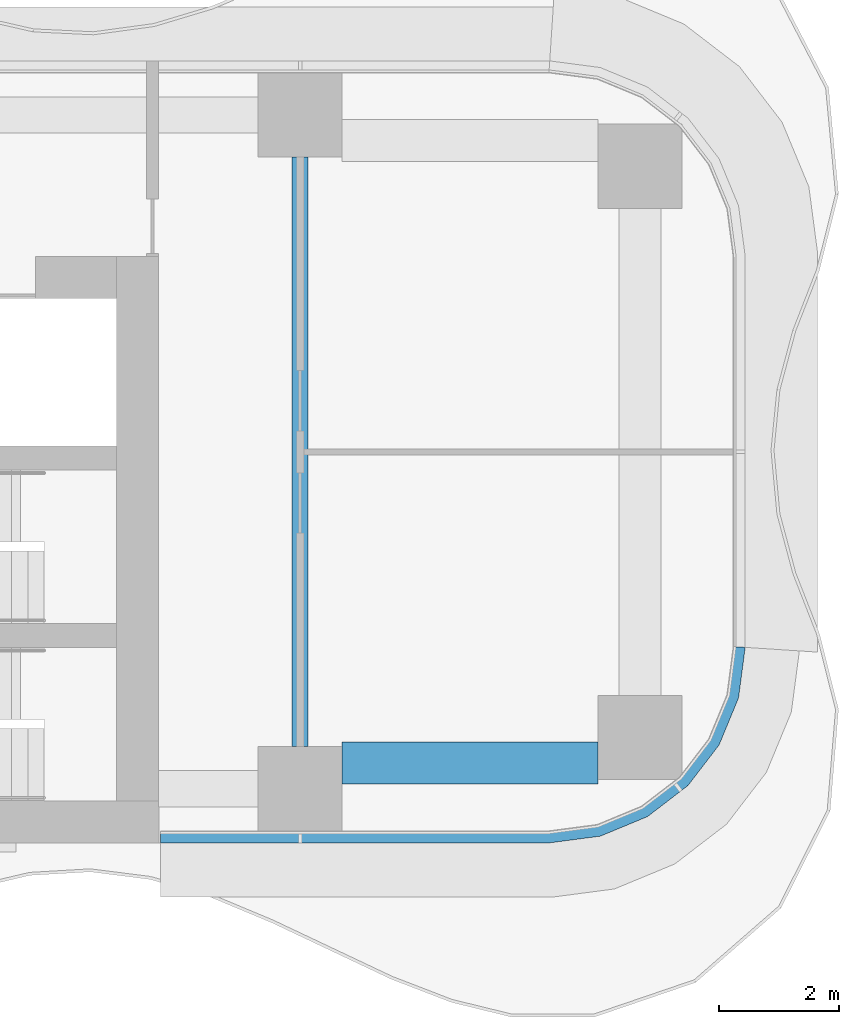
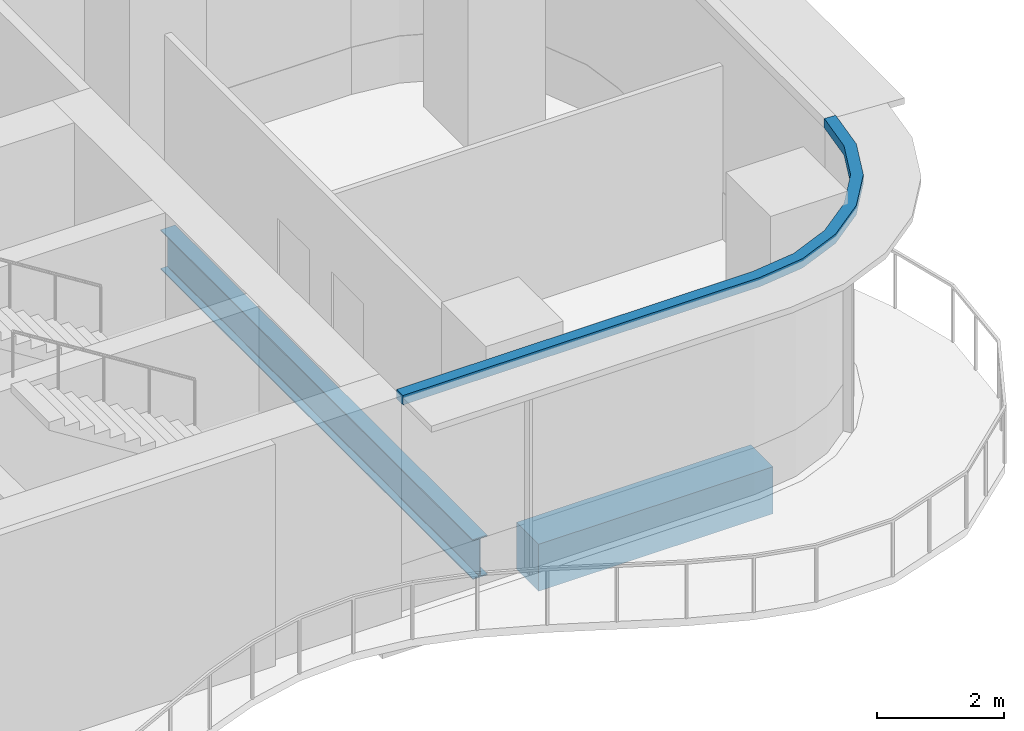
# One storey, part 7 of 22: 2 beams, 1 member, 1 element without a shape of its own.
"""IFC4 building model written with IfcOpenShell, lengths in metres."""

import ifcopenshell
import ifcopenshell.guid

model = None  # the IFC model being written
_history = None  # IfcOwnerHistory: only IFC2X3 demands one
_inside = {}  # id of a spatial element -> (the spatial element, [elements in it])
_under = {}  # id of a project, library or spatial element -> (it, [spatial elements below it])
_declared = {}  # id of a project -> (the project, [libraries it declares])
_typed = {}  # id of a type object -> (the type object, [elements of that type])
_made_of = {}  # id of a material, layer set ... -> (it, [elements and type objects made of it])


def new_model(schema):
    """Start an empty IFC model of exactly this schema.

    Asked for "IFC4X3", IfcOpenShell would pick the latest addendum, in which some entities
    have other attributes; the version numbers below select the first issue.
    IFC2X3 requires an IfcOwnerHistory on every rooted entity: one is made here for all.
    """
    global model, _history
    if schema == "IFC4X3":
        model = ifcopenshell.file(schema_version=(4, 3, 0, 0))
    else:
        model = ifcopenshell.file(schema=schema)
    _inside.clear()
    _under.clear()
    _declared.clear()
    _typed.clear()
    _made_of.clear()
    _history = None
    if model.schema == "IFC2X3":
        org = make("IfcOrganization", Name="unknown")
        user = make(
            "IfcPersonAndOrganization",
            ThePerson=make("IfcPerson", FamilyName="unknown"),
            TheOrganization=org,
        )
        app = make(
            "IfcApplication",
            ApplicationDeveloper=org,
            Version="unknown",
            ApplicationFullName="unknown",
            ApplicationIdentifier="unknown",
        )
        _history = make(
            "IfcOwnerHistory",
            OwningUser=user,
            OwningApplication=app,
            ChangeAction="ADDED",
            CreationDate=0,
        )
    return model


def make(cls, **values):
    """One entity of the class cls with the attributes given. An attribute that is None is left unset."""
    return model.create_entity(
        cls, **{name: value for name, value in values.items() if value is not None}
    )


def rooted(cls, **values):
    """An entity with a GlobalId (a new one), such as an element, a storey or a relation."""
    return make(cls, GlobalId=ifcopenshell.guid.new(), OwnerHistory=_history, **values)


def si_unit(unit_type, name, prefix=None):
    """IfcSIUnit, for example si_unit("LENGTHUNIT", "METRE", prefix="MILLI")."""
    return make("IfcSIUnit", UnitType=unit_type, Prefix=prefix, Name=name)


def assignment(units):
    """IfcUnitAssignment: the units of a project."""
    return None if units is None else make("IfcUnitAssignment", Units=units)


def point(xyz):
    """IfcCartesianPoint."""
    return None if xyz is None else make("IfcCartesianPoint", Coordinates=xyz)


def direction(xyz):
    """IfcDirection."""
    return None if xyz is None else make("IfcDirection", DirectionRatios=xyz)


def frame(location, z_axis=None, x_axis=None):
    """IfcAxis2Placement3D, a coordinate frame: its origin and axes. An axis left out is left unset."""
    return make(
        "IfcAxis2Placement3D",
        Location=point(location),
        Axis=direction(z_axis),
        RefDirection=direction(x_axis),
    )


def frame_2d(location, x_axis=None):
    """IfcAxis2Placement2D, a coordinate frame in the plane: its origin and x axis."""
    return make(
        "IfcAxis2Placement2D", Location=point(location), RefDirection=direction(x_axis)
    )


def origin():
    """The frame at (0, 0, 0) with its axes left unset."""
    return frame((0.0, 0.0, 0.0))


def origin_2d():
    """The frame at (0, 0) in the plane with its x axis left unset."""
    return frame_2d((0.0, 0.0))


def place(relative_to, where):
    """IfcLocalPlacement: puts the frame where relative to a parent placement (None: the world)."""
    return make(
        "IfcLocalPlacement", PlacementRelTo=relative_to, RelativePlacement=where
    )


def context(
    kind, dimensions, precision=None, world=None, true_north=None, identifier=None
):
    """IfcGeometricRepresentationContext, for example the 3D "Model" context."""
    return make(
        "IfcGeometricRepresentationContext",
        ContextIdentifier=identifier,
        ContextType=kind,
        CoordinateSpaceDimension=dimensions,
        Precision=precision,
        WorldCoordinateSystem=world,
        TrueNorth=true_north,
    )


def subcontext(parent, identifier, kind, view, scale=None):
    """IfcGeometricRepresentationSubContext, for example "Body" below "Model"."""
    return make(
        "IfcGeometricRepresentationSubContext",
        ContextIdentifier=identifier,
        ContextType=kind,
        ParentContext=parent,
        TargetScale=scale,
        TargetView=view,
    )


def project(units=None, contexts=None):
    """IfcProject with its units and contexts."""
    return rooted(
        "IfcProject",
        Name="project",
        RepresentationContexts=contexts,
        UnitsInContext=assignment(units),
    )


def spatial(cls, under=None, at=None, **own):
    """A site, building, storey or space (cls), placed at a placement, below another one or the project."""
    s = rooted(cls, ObjectPlacement=at, **own)
    if under is not None:
        _under.setdefault(under.id(), (under, []))[1].append(s)
    return s


def polyline(points):
    """IfcPolyline through the points."""
    return make("IfcPolyline", Points=[point(p) for p in points])


def profile(cls, at=None, kind="AREA", **sizes):
    """A parametric profile (cls). Its sizes go by their IFC names, for example OverallWidth=200.0."""
    return make(cls, ProfileType=kind, Position=at, **sizes)


def rectangle(**sizes):
    """IfcRectangleProfileDef."""
    return profile("IfcRectangleProfileDef", **sizes)


def i_section(**sizes):
    """IfcIShapeProfileDef."""
    return profile("IfcIShapeProfileDef", **sizes)


def outline(outer, holes=None, kind="AREA"):
    """IfcArbitraryClosedProfileDef: a profile drawn as a closed curve; with holes, ...WithVoids."""
    if holes is None:
        return make("IfcArbitraryClosedProfileDef", ProfileType=kind, OuterCurve=outer)
    return make(
        "IfcArbitraryProfileDefWithVoids",
        ProfileType=kind,
        OuterCurve=outer,
        InnerCurves=holes,
    )


def extrude(swept, where, along, depth):
    """IfcExtrudedAreaSolid: the profile swept, set in the frame where, extruded along a direction by depth."""
    return make(
        "IfcExtrudedAreaSolid",
        SweptArea=swept,
        Position=where,
        ExtrudedDirection=direction(along),
        Depth=depth,
    )


def shape(context_of_items, identifier, shape_type, items):
    """IfcShapeRepresentation: the items that make up one representation, for example the "Body"."""
    return make(
        "IfcShapeRepresentation",
        ContextOfItems=context_of_items,
        RepresentationIdentifier=identifier,
        RepresentationType=shape_type,
        Items=items,
    )


def source(mapping_origin, context_of_items, identifier, shape_type, items):
    """IfcRepresentationMap: a shape defined once, which mapped items show again and again."""
    return make(
        "IfcRepresentationMap",
        MappingOrigin=mapping_origin,
        MappedRepresentation=shape(context_of_items, identifier, shape_type, items),
    )


def transform(
    local_origin,
    x_axis=None,
    y_axis=None,
    z_axis=None,
    scale=None,
    scale2=None,
    scale3=None,
    uniform=True,
):
    """IfcCartesianTransformationOperator3D, or its non-uniform kind. x_axis, y_axis, z_axis: its Axis1, 2, 3."""
    if uniform:
        return make(
            "IfcCartesianTransformationOperator3D",
            Axis1=direction(x_axis),
            Axis2=direction(y_axis),
            LocalOrigin=point(local_origin),
            Scale=scale,
            Axis3=direction(z_axis),
        )
    return make(
        "IfcCartesianTransformationOperator3DnonUniform",
        Axis1=direction(x_axis),
        Axis2=direction(y_axis),
        LocalOrigin=point(local_origin),
        Scale=scale,
        Axis3=direction(z_axis),
        Scale2=scale2,
        Scale3=scale3,
    )


def mapped(mapping_source, mapping_target):
    """IfcMappedItem: shows the shape of a source again, moved by a transform."""
    return make(
        "IfcMappedItem", MappingSource=mapping_source, MappingTarget=mapping_target
    )


def material(Name=None, Category=None):
    """IfcMaterial."""
    return make("IfcMaterial", Name=Name, Category=Category)


def layer(
    of_material, thickness, ventilated=None, Name=None, Category=None, Priority=None
):
    """IfcMaterialLayer: one layer of a wall or slab, of a material (None: an air gap)."""
    return make(
        "IfcMaterialLayer",
        Material=of_material,
        LayerThickness=thickness,
        IsVentilated=ventilated,
        Name=Name,
        Category=Category,
        Priority=Priority,
    )


def layer_set(layers, Name=None):
    """IfcMaterialLayerSet."""
    return make("IfcMaterialLayerSet", MaterialLayers=layers, LayerSetName=Name)


def material_profile(
    of_material, cross_section, Name=None, Category=None, Priority=None
):
    """IfcMaterialProfile: a cross section and its material."""
    return make(
        "IfcMaterialProfile",
        Name=Name,
        Material=of_material,
        Profile=cross_section,
        Priority=Priority,
        Category=Category,
    )


def profile_set(profiles, Name=None, composite=None):
    """IfcMaterialProfileSet."""
    return make(
        "IfcMaterialProfileSet",
        Name=Name,
        MaterialProfiles=profiles,
        CompositeProfile=composite,
    )


def made_of(thing, what):
    """Note that an element or type object is made of a material, layer set ...; save() writes the relation."""
    if what is not None:
        _made_of.setdefault(what.id(), (what, []))[1].append(thing)
    return thing


def type_object(cls, material=None, **own):
    """A type object (cls), such as IfcWallType, which elements share."""
    return made_of(rooted(cls, **own), material)


def element(
    cls,
    number,
    at=None,
    inside=None,
    cuts=None,
    type_object=None,
    material=None,
    context=None,
    identifier="Body",
    shape_type=None,
    held_by="IfcProductDefinitionShape",
    body=None,
    shapes=None,
    **own,
):
    """One element of the class cls, such as IfcWall. Its Tag is "e" and its number.

    at: its placement. inside: the storey or other place that contains it. cuts: it is an
    opening in that element (IfcRelVoidsElement). A single representation is given by context,
    identifier, shape_type and body (its items); several are given by shapes. held_by: the class
    of the entity that holds the representations. save() writes the other relations.
    """
    e = rooted(cls, Tag="e%d" % number, ObjectPlacement=at, **own)
    if body is not None:
        shapes = [shape(context, identifier, shape_type, body)]
    if shapes is not None:
        e.Representation = make(held_by, Representations=shapes)
    if inside is not None:
        _inside.setdefault(inside.id(), (inside, []))[1].append(e)
    if cuts is not None:
        rooted(
            "IfcRelVoidsElement", RelatingBuildingElement=cuts, RelatedOpeningElement=e
        )
    if type_object is not None:
        _typed.setdefault(type_object.id(), (type_object, []))[1].append(e)
    return made_of(e, material)


def aggregate(whole, parts):
    """IfcRelAggregates: a whole, such as a stair, and the parts it consists of."""
    return rooted("IfcRelAggregates", RelatingObject=whole, RelatedObjects=parts)


def save(model, path):
    """Write the relations noted so far, then the file.

    IfcRelAggregates (storeys below a building ...), IfcRelContainedInSpatialStructure (elements
    in a storey), IfcRelDefinesByType, IfcRelAssociatesMaterial and IfcRelDeclares: one each for
    every whole, place, type object, material and project.
    """
    for whole, parts in _under.values():
        aggregate(whole, parts)
    for where, things in _inside.values():
        rooted(
            "IfcRelContainedInSpatialStructure",
            RelatedElements=things,
            RelatingStructure=where,
        )
    for kind, things in _typed.values():
        rooted("IfcRelDefinesByType", RelatedObjects=things, RelatingType=kind)
    for what, things in _made_of.values():
        rooted("IfcRelAssociatesMaterial", RelatedObjects=things, RelatingMaterial=what)
    for by, libraries in _declared.values():
        rooted("IfcRelDeclares", RelatingContext=by, RelatedDefinitions=libraries)
    model.write(path)


model = new_model("IFC4")

# Units and contexts
model_context = context("Model", 3, precision=1e-05, world=origin(), true_north=direction((0.0, 1.0)))
body_context = subcontext(model_context, "Body", "Model", "MODEL_VIEW")
ifc_project = project(units=[si_unit("LENGTHUNIT", "METRE"), si_unit("AREAUNIT", "SQUARE_METRE"), si_unit("VOLUMEUNIT", "CUBIC_METRE"), si_unit("PLANEANGLEUNIT", "RADIAN"), si_unit("MASSUNIT", "GRAM", prefix="KILO")], contexts=[model_context])

# Site, building, storey
site_placement = place(None, origin())
site = spatial("IfcSite", under=ifc_project, at=site_placement, CompositionType="ELEMENT")
building_placement = place(site_placement, origin())
building = spatial("IfcBuilding", under=site, at=building_placement, Name="Trellis Farm Tower", CompositionType="ELEMENT")
storey_placement = place(building_placement, frame((0.0, 0.0, 61.0)))
storey = spatial("IfcBuildingStorey", under=building, at=storey_placement, Name="L12", CompositionType="ELEMENT", Elevation=61.0)

# Beams
ifc_material_1 = material(Name="Steel S355", Category="steel")
ifc_material_profile_1 = material_profile(ifc_material_1, i_section(OverallWidth=0.2666015625, OverallDepth=0.76220703125, WebThickness=0.014404296875, FlangeThickness=0.021484375, FilletRadius=0.0166015625, at=origin_2d()), Name="UB 762x267x173")
ifc_profile_set_1 = profile_set([ifc_material_profile_1], Name="Steel S355")
beam_type_1 = type_object("IfcBeamType", Name="UB 762x267x173", PredefinedType="BEAM", material=ifc_profile_set_1)
shared_shape_1 = source(origin(), body_context, "Body", "SweptSolid", [
    extrude(i_section(OverallWidth=0.2666015625, OverallDepth=0.76220703125, WebThickness=0.014404296875, FlangeThickness=0.021484375, FilletRadius=0.0166015625, at=origin_2d()), origin(), (0.0, 0.0, 1.0), 9.7998046875),
])
beam_1_placement = place(storey_placement, frame((25.10009765625, -4.89990234375, -0.631103515625), z_axis=(0.0, 1.0, 0.0), x_axis=(-1.0, 0.0, 0.0)))
element("IfcBeam", 1, at=beam_1_placement, inside=storey, type_object=beam_type_1, Name="Girder", PredefinedType="BEAM", context=body_context, shape_type="MappedRepresentation", body=[
    mapped(shared_shape_1, transform((0.0, 0.0, 0.0))),
])
ifc_material_2 = material(Name="Concrete C60/75", Category="concrete")
ifc_material_profile_2 = material_profile(ifc_material_2, rectangle(XDim=0.699951171875, YDim=0.89990234375, at=origin_2d()), Name="RC spandrel beam 700x900 C60/75")
ifc_profile_set_2 = profile_set([ifc_material_profile_2], Name="Concrete C60/75")
beam_type_2 = type_object("IfcBeamType", Name="RC spandrel beam 700x900 C60/75", PredefinedType="SPANDREL", material=ifc_profile_set_2)
shared_shape_2 = source(origin(), body_context, "Body", "SweptSolid", [
    extrude(rectangle(XDim=0.699951171875, YDim=0.89990234375, at=origin_2d()), origin(), (0.0, 0.0, 1.0), 4.25),
])
beam_2_placement = place(storey_placement, frame((25.800048828125, -5.175048828125, -0.699951171875), z_axis=(1.0, 0.0, 0.0), x_axis=(0.0, 1.0, 0.0)))
element("IfcBeam", 2, at=beam_2_placement, inside=storey, type_object=beam_type_2, Name="Girder", PredefinedType="SPANDREL", context=body_context, shape_type="MappedRepresentation", body=[
    mapped(shared_shape_2, transform((0.0, 0.0, 0.0))),
])

# Curtain wall, member
ifc_material_3 = material(Name="Aluminium and glass curtain wall", Category="aluminium")
ifc_layer_1 = layer(ifc_material_3, 0.18994140625)
ifc_layer_set_1 = layer_set([ifc_layer_1], Name="RIBBON CURTAIN WALL CW1")
curtain_wall_type = type_object("IfcCurtainWallType", Name="RIBBON CURTAIN WALL CW1", PredefinedType="NOTDEFINED", material=ifc_layer_set_1)
curtain_wall_placement = place(storey_placement, origin())
curtain_wall = element("IfcCurtainWall", 3, at=curtain_wall_placement, inside=storey, type_object=curtain_wall_type, Name="CW1 006", PredefinedType="NOTDEFINED")
ifc_material_4 = material(Name="Aluminium extrusion 6063-T6", Category="aluminium")
ifc_layer_2 = layer(ifc_material_4, 0.199951171875)
ifc_layer_set_2 = layer_set([ifc_layer_2], Name="Aluminium extrusion 6063-T6")
member_type = type_object("IfcMemberType", Name="CW1 TRANSOM 200x180", PredefinedType="USERDEFINED", material=ifc_layer_set_2)
shared_shape_3 = source(origin(), body_context, "Body", "SweptSolid", [
    extrude(outline(polyline([(22.780029296875, -6.5), (29.25, -6.5), (30.091064453125, -6.38916015625), (30.875, -6.064697265625), (31.548095703125, -5.548095703125), (32.064697265625, -4.875), (32.38916015625, -4.091064453125), (32.5, -3.25), (32.300048828125, -3.23681640625), (32.1943359375, -4.0390625), (31.889892578125, -4.774169921875), (31.405517578125, -5.405517578125), (30.774169921875, -5.889892578125), (30.0390625, -6.1943359375), (29.23681640625, -6.300048828125), (22.780029296875, -6.300048828125), (22.780029296875, -6.5)])), origin(), (0.0, 0.0, 1.0), 0.179931640625),
])
member_placement = place(storey_placement, frame((0.0, 0.0, 4.070068359375)))
member = element("IfcMember", 4, at=member_placement, type_object=member_type, Name="TR1 006", ObjectType="TRANSOM", PredefinedType="USERDEFINED", context=body_context, shape_type="MappedRepresentation", body=[
    mapped(shared_shape_3, transform((0.0, 0.0, 0.0))),
])
aggregate(curtain_wall, [member])

save(model, "model.ifc")
